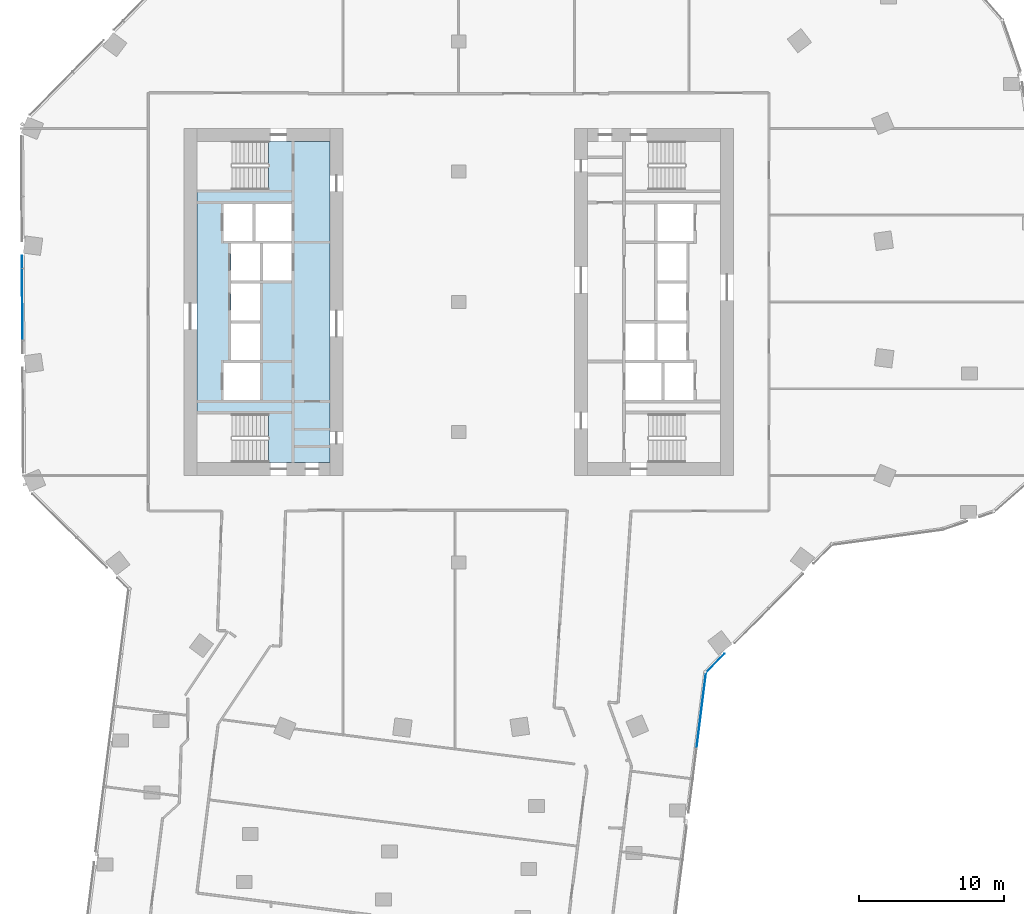
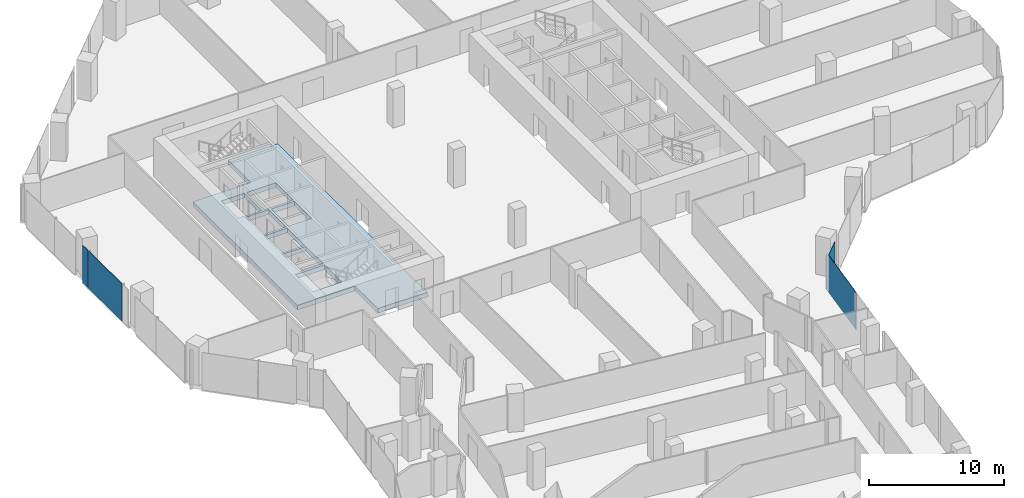
# One storey, part 14 of 27: 4 plates, 1 slab, 3 elements without a shape of their own.
"""IFC4 building model written with IfcOpenShell, lengths in metres."""

import ifcopenshell
import ifcopenshell.guid

model = None  # the IFC model being written
_history = None  # IfcOwnerHistory: only IFC2X3 demands one
_inside = {}  # id of a spatial element -> (the spatial element, [elements in it])
_under = {}  # id of a project, library or spatial element -> (it, [spatial elements below it])
_declared = {}  # id of a project -> (the project, [libraries it declares])
_typed = {}  # id of a type object -> (the type object, [elements of that type])
_made_of = {}  # id of a material, layer set ... -> (it, [elements and type objects made of it])


def new_model(schema):
    """Start an empty IFC model of exactly this schema.

    Asked for "IFC4X3", IfcOpenShell would pick the latest addendum, in which some entities
    have other attributes; the version numbers below select the first issue.
    IFC2X3 requires an IfcOwnerHistory on every rooted entity: one is made here for all.
    """
    global model, _history
    if schema == "IFC4X3":
        model = ifcopenshell.file(schema_version=(4, 3, 0, 0))
    else:
        model = ifcopenshell.file(schema=schema)
    _inside.clear()
    _under.clear()
    _declared.clear()
    _typed.clear()
    _made_of.clear()
    _history = None
    if model.schema == "IFC2X3":
        org = make("IfcOrganization", Name="unknown")
        user = make(
            "IfcPersonAndOrganization",
            ThePerson=make("IfcPerson", FamilyName="unknown"),
            TheOrganization=org,
        )
        app = make(
            "IfcApplication",
            ApplicationDeveloper=org,
            Version="unknown",
            ApplicationFullName="unknown",
            ApplicationIdentifier="unknown",
        )
        _history = make(
            "IfcOwnerHistory",
            OwningUser=user,
            OwningApplication=app,
            ChangeAction="ADDED",
            CreationDate=0,
        )
    return model


def make(cls, **values):
    """One entity of the class cls with the attributes given. An attribute that is None is left unset."""
    return model.create_entity(
        cls, **{name: value for name, value in values.items() if value is not None}
    )


def rooted(cls, **values):
    """An entity with a GlobalId (a new one), such as an element, a storey or a relation."""
    return make(cls, GlobalId=ifcopenshell.guid.new(), OwnerHistory=_history, **values)


def si_unit(unit_type, name, prefix=None):
    """IfcSIUnit, for example si_unit("LENGTHUNIT", "METRE", prefix="MILLI")."""
    return make("IfcSIUnit", UnitType=unit_type, Prefix=prefix, Name=name)


def assignment(units):
    """IfcUnitAssignment: the units of a project."""
    return None if units is None else make("IfcUnitAssignment", Units=units)


def point(xyz):
    """IfcCartesianPoint."""
    return None if xyz is None else make("IfcCartesianPoint", Coordinates=xyz)


def direction(xyz):
    """IfcDirection."""
    return None if xyz is None else make("IfcDirection", DirectionRatios=xyz)


def frame(location, z_axis=None, x_axis=None):
    """IfcAxis2Placement3D, a coordinate frame: its origin and axes. An axis left out is left unset."""
    return make(
        "IfcAxis2Placement3D",
        Location=point(location),
        Axis=direction(z_axis),
        RefDirection=direction(x_axis),
    )


def frame_2d(location, x_axis=None):
    """IfcAxis2Placement2D, a coordinate frame in the plane: its origin and x axis."""
    return make(
        "IfcAxis2Placement2D", Location=point(location), RefDirection=direction(x_axis)
    )


def origin():
    """The frame at (0, 0, 0) with its axes left unset."""
    return frame((0.0, 0.0, 0.0))


def origin_2d():
    """The frame at (0, 0) in the plane with its x axis left unset."""
    return frame_2d((0.0, 0.0))


def place(relative_to, where):
    """IfcLocalPlacement: puts the frame where relative to a parent placement (None: the world)."""
    return make(
        "IfcLocalPlacement", PlacementRelTo=relative_to, RelativePlacement=where
    )


def context(
    kind, dimensions, precision=None, world=None, true_north=None, identifier=None
):
    """IfcGeometricRepresentationContext, for example the 3D "Model" context."""
    return make(
        "IfcGeometricRepresentationContext",
        ContextIdentifier=identifier,
        ContextType=kind,
        CoordinateSpaceDimension=dimensions,
        Precision=precision,
        WorldCoordinateSystem=world,
        TrueNorth=true_north,
    )


def subcontext(parent, identifier, kind, view, scale=None):
    """IfcGeometricRepresentationSubContext, for example "Body" below "Model"."""
    return make(
        "IfcGeometricRepresentationSubContext",
        ContextIdentifier=identifier,
        ContextType=kind,
        ParentContext=parent,
        TargetScale=scale,
        TargetView=view,
    )


def project(units=None, contexts=None):
    """IfcProject with its units and contexts."""
    return rooted(
        "IfcProject",
        Name="project",
        RepresentationContexts=contexts,
        UnitsInContext=assignment(units),
    )


def spatial(cls, under=None, at=None, **own):
    """A site, building, storey or space (cls), placed at a placement, below another one or the project."""
    s = rooted(cls, ObjectPlacement=at, **own)
    if under is not None:
        _under.setdefault(under.id(), (under, []))[1].append(s)
    return s


def polyline(points):
    """IfcPolyline through the points."""
    return make("IfcPolyline", Points=[point(p) for p in points])


def profile(cls, at=None, kind="AREA", **sizes):
    """A parametric profile (cls). Its sizes go by their IFC names, for example OverallWidth=200.0."""
    return make(cls, ProfileType=kind, Position=at, **sizes)


def rectangle(**sizes):
    """IfcRectangleProfileDef."""
    return profile("IfcRectangleProfileDef", **sizes)


def outline(outer, holes=None, kind="AREA"):
    """IfcArbitraryClosedProfileDef: a profile drawn as a closed curve; with holes, ...WithVoids."""
    if holes is None:
        return make("IfcArbitraryClosedProfileDef", ProfileType=kind, OuterCurve=outer)
    return make(
        "IfcArbitraryProfileDefWithVoids",
        ProfileType=kind,
        OuterCurve=outer,
        InnerCurves=holes,
    )


def extrude(swept, where, along, depth):
    """IfcExtrudedAreaSolid: the profile swept, set in the frame where, extruded along a direction by depth."""
    return make(
        "IfcExtrudedAreaSolid",
        SweptArea=swept,
        Position=where,
        ExtrudedDirection=direction(along),
        Depth=depth,
    )


def shape(context_of_items, identifier, shape_type, items):
    """IfcShapeRepresentation: the items that make up one representation, for example the "Body"."""
    return make(
        "IfcShapeRepresentation",
        ContextOfItems=context_of_items,
        RepresentationIdentifier=identifier,
        RepresentationType=shape_type,
        Items=items,
    )


def material(Name=None, Category=None):
    """IfcMaterial."""
    return make("IfcMaterial", Name=Name, Category=Category)


def layer(
    of_material, thickness, ventilated=None, Name=None, Category=None, Priority=None
):
    """IfcMaterialLayer: one layer of a wall or slab, of a material (None: an air gap)."""
    return make(
        "IfcMaterialLayer",
        Material=of_material,
        LayerThickness=thickness,
        IsVentilated=ventilated,
        Name=Name,
        Category=Category,
        Priority=Priority,
    )


def layer_set(layers, Name=None):
    """IfcMaterialLayerSet."""
    return make("IfcMaterialLayerSet", MaterialLayers=layers, LayerSetName=Name)


def made_of(thing, what):
    """Note that an element or type object is made of a material, layer set ...; save() writes the relation."""
    if what is not None:
        _made_of.setdefault(what.id(), (what, []))[1].append(thing)
    return thing


def type_object(cls, material=None, **own):
    """A type object (cls), such as IfcWallType, which elements share."""
    return made_of(rooted(cls, **own), material)


def element(
    cls,
    number,
    at=None,
    inside=None,
    cuts=None,
    type_object=None,
    material=None,
    context=None,
    identifier="Body",
    shape_type=None,
    held_by="IfcProductDefinitionShape",
    body=None,
    shapes=None,
    **own,
):
    """One element of the class cls, such as IfcWall. Its Tag is "e" and its number.

    at: its placement. inside: the storey or other place that contains it. cuts: it is an
    opening in that element (IfcRelVoidsElement). A single representation is given by context,
    identifier, shape_type and body (its items); several are given by shapes. held_by: the class
    of the entity that holds the representations. save() writes the other relations.
    """
    e = rooted(cls, Tag="e%d" % number, ObjectPlacement=at, **own)
    if body is not None:
        shapes = [shape(context, identifier, shape_type, body)]
    if shapes is not None:
        e.Representation = make(held_by, Representations=shapes)
    if inside is not None:
        _inside.setdefault(inside.id(), (inside, []))[1].append(e)
    if cuts is not None:
        rooted(
            "IfcRelVoidsElement", RelatingBuildingElement=cuts, RelatedOpeningElement=e
        )
    if type_object is not None:
        _typed.setdefault(type_object.id(), (type_object, []))[1].append(e)
    return made_of(e, material)


def aggregate(whole, parts):
    """IfcRelAggregates: a whole, such as a stair, and the parts it consists of."""
    return rooted("IfcRelAggregates", RelatingObject=whole, RelatedObjects=parts)


def save(model, path):
    """Write the relations noted so far, then the file.

    IfcRelAggregates (storeys below a building ...), IfcRelContainedInSpatialStructure (elements
    in a storey), IfcRelDefinesByType, IfcRelAssociatesMaterial and IfcRelDeclares: one each for
    every whole, place, type object, material and project.
    """
    for whole, parts in _under.values():
        aggregate(whole, parts)
    for where, things in _inside.values():
        rooted(
            "IfcRelContainedInSpatialStructure",
            RelatedElements=things,
            RelatingStructure=where,
        )
    for kind, things in _typed.values():
        rooted("IfcRelDefinesByType", RelatedObjects=things, RelatingType=kind)
    for what, things in _made_of.values():
        rooted("IfcRelAssociatesMaterial", RelatedObjects=things, RelatingMaterial=what)
    for by, libraries in _declared.values():
        rooted("IfcRelDeclares", RelatingContext=by, RelatedDefinitions=libraries)
    model.write(path)


model = new_model("IFC4")

# Units and contexts
model_context = context("Model", 3, precision=1e-05, world=origin(), true_north=direction((0.0, 1.0)))
body_context = subcontext(model_context, "Body", "Model", "MODEL_VIEW")
ifc_project = project(units=[si_unit("LENGTHUNIT", "METRE"), si_unit("AREAUNIT", "SQUARE_METRE"), si_unit("VOLUMEUNIT", "CUBIC_METRE"), si_unit("PLANEANGLEUNIT", "RADIAN"), si_unit("MASSUNIT", "GRAM", prefix="KILO")], contexts=[model_context])

# Site, building, storey
site_placement = place(None, origin())
site = spatial("IfcSite", under=ifc_project, at=site_placement, CompositionType="ELEMENT")
building_placement = place(site_placement, origin())
building = spatial("IfcBuilding", under=site, at=building_placement, Name="Orlundy Tower", CompositionType="ELEMENT")
storey_placement = place(building_placement, frame((0.0, 0.0, 195.60009765625)))
storey = spatial("IfcBuildingStorey", under=building, at=storey_placement, Name="L51", CompositionType="ELEMENT", Elevation=195.60009765625)

# Curtain wall, plates
ifc_material_1 = material(Name="Aluminium bronze anodised", Category="aluminium")
curtain_wall_type = type_object("IfcCurtainWallType", Name="CW1 wall", PredefinedType="NOTDEFINED", material=ifc_material_1)
curtain_wall_1_placement = place(storey_placement, origin())
curtain_wall_1 = element("IfcCurtainWall", 1, at=curtain_wall_1_placement, inside=storey, type_object=curtain_wall_type, Name="CW1 run 02", PredefinedType="NOTDEFINED")
ifc_material_2 = material(Name="Tinted glass", Category="glass")
ifc_layer_1 = layer(ifc_material_2, 0.031982421875)
ifc_layer_set_1 = layer_set([ifc_layer_1], Name="CW1 glass panel 32")
plate_type = type_object("IfcPlateType", Name="CW1 glass panel 32", PredefinedType="CURTAIN_PANEL", material=ifc_layer_set_1)
plate_1_placement = place(storey_placement, frame((-30.16357421875, -0.175537109375, -0.300048828125), z_axis=(0.0, 0.0, 1.0), x_axis=(-0.005834206419, 0.999982980873, 0.0)))
plate_1 = element("IfcPlate", 2, at=plate_1_placement, type_object=plate_type, Name="CW1 panel", PredefinedType="CURTAIN_PANEL", context=body_context, shape_type="SweptSolid", body=[
    extrude(rectangle(XDim=4.920654296875, YDim=0.031982421875, at=origin_2d()), origin(), (0.0, 0.0, 1.0), 3.3798828125),
])
plate_2_placement = place(storey_placement, frame((-30.1806640625, 2.758056640625, -0.300048828125), z_axis=(0.0, 0.0, 1.0), x_axis=(-0.005834206419, 0.999982980873, 0.0)))
plate_2 = element("IfcPlate", 3, at=plate_2_placement, type_object=plate_type, Name="CW1 panel", PredefinedType="CURTAIN_PANEL", context=body_context, shape_type="SweptSolid", body=[
    extrude(rectangle(XDim=0.8466796875, YDim=0.031982421875, at=origin_2d()), origin(), (0.0, 0.0, 1.0), 3.3798828125),
])
aggregate(curtain_wall_1, [plate_1, plate_2])

# Curtain wall, plate
curtain_wall_2_placement = place(storey_placement, origin())
curtain_wall_2 = element("IfcCurtainWall", 4, at=curtain_wall_2_placement, inside=storey, type_object=curtain_wall_type, Name="CW1 run 017", PredefinedType="NOTDEFINED")
plate_3_placement = place(storey_placement, frame((17.739013671875, -24.9619140625, -0.300048828125), z_axis=(0.0, 0.0, 1.0), x_axis=(-0.702970467781, -0.711219038994, 0.0)))
plate_3 = element("IfcPlate", 5, at=plate_3_placement, type_object=plate_type, Name="CW1 panel", PredefinedType="CURTAIN_PANEL", context=body_context, shape_type="SweptSolid", body=[
    extrude(rectangle(XDim=1.810302734375, YDim=0.031982421875, at=origin_2d()), origin(), (0.0, 0.0, 1.0), 3.3798828125),
])
aggregate(curtain_wall_2, [plate_3])

curtain_wall_3_placement = place(storey_placement, origin())
curtain_wall_3 = element("IfcCurtainWall", 6, at=curtain_wall_3_placement, inside=storey, type_object=curtain_wall_type, Name="CW1 run 018", PredefinedType="NOTDEFINED")
plate_4_placement = place(storey_placement, frame((16.773681640625, -28.22314453125, -0.300048828125), z_axis=(0.0, 0.0, 1.0), x_axis=(-0.124742379758, -0.992189164773, 0.0)))
plate_4 = element("IfcPlate", 7, at=plate_4_placement, type_object=plate_type, Name="CW1 panel", PredefinedType="CURTAIN_PANEL", context=body_context, shape_type="SweptSolid", body=[
    extrude(rectangle(XDim=5.27587890625, YDim=0.031982421875, at=origin_2d()), origin(), (0.0, 0.0, 1.0), 3.3798828125),
])
aggregate(curtain_wall_3, [plate_4])

# Slab
ifc_material_3 = material(Name="Concrete C50/60", Category="concrete")
ifc_layer_2 = layer(ifc_material_3, 0.419921875)
ifc_layer_set_2 = layer_set([ifc_layer_2], Name="Core Floor Slab 420")
slab_type = type_object("IfcSlabType", Name="Core Floor Slab 420", PredefinedType="FLOOR", material=ifc_layer_set_2)
slab_placement = place(storey_placement, frame((0.0, 0.0, -0.420166015625)))
element("IfcSlab", 8, at=slab_placement, inside=storey, type_object=slab_type, Name="Core floor W39", PredefinedType="FLOOR", context=body_context, shape_type="SweptSolid", body=[
    extrude(outline(polyline([(-13.14501953125, -11.10009765625), (-13.14501953125, -7.75), (-18.10009765625, -7.75), (-18.10009765625, 7.75), (-13.14501953125, 7.75), (-13.14501953125, 11.10009765625), (-8.89990234375, 11.10009765625), (-8.89990234375, -11.10009765625), (-13.14501953125, -11.10009765625)]), holes=[polyline([(-13.739990234375, -4.22509765625), (-16.239990234375, -4.22509765625), (-16.239990234375, -6.77490234375), (-13.739990234375, -6.77490234375), (-13.739990234375, -4.22509765625)]), polyline([(-13.739990234375, -4.02490234375), (-13.739990234375, -1.47509765625), (-15.739990234375, -1.47509765625), (-15.739990234375, -4.02490234375), (-13.739990234375, -4.02490234375)]), polyline([(-15.739990234375, -1.27490234375), (-13.739990234375, -1.27490234375), (-13.739990234375, 1.27490234375), (-15.739990234375, 1.27490234375), (-15.739990234375, -1.27490234375)]), polyline([(-13.5400390625, 4.02490234375), (-13.5400390625, 1.47509765625), (-11.5400390625, 1.47509765625), (-11.5400390625, 4.02490234375), (-13.5400390625, 4.02490234375)]), polyline([(-13.739990234375, 4.02490234375), (-15.739990234375, 4.02490234375), (-15.739990234375, 1.47509765625), (-13.739990234375, 1.47509765625), (-13.739990234375, 4.02490234375)]), polyline([(-11.5400390625, 4.22509765625), (-11.5400390625, 6.77490234375), (-14.0400390625, 6.77490234375), (-14.0400390625, 4.22509765625), (-11.5400390625, 4.22509765625)]), polyline([(-16.239990234375, 4.22509765625), (-14.239990234375, 4.22509765625), (-14.239990234375, 6.77490234375), (-16.239990234375, 6.77490234375), (-16.239990234375, 4.22509765625)])]), origin(), (0.0, 0.0, 1.0), 0.420166015625),
])

save(model, "model.ifc")
